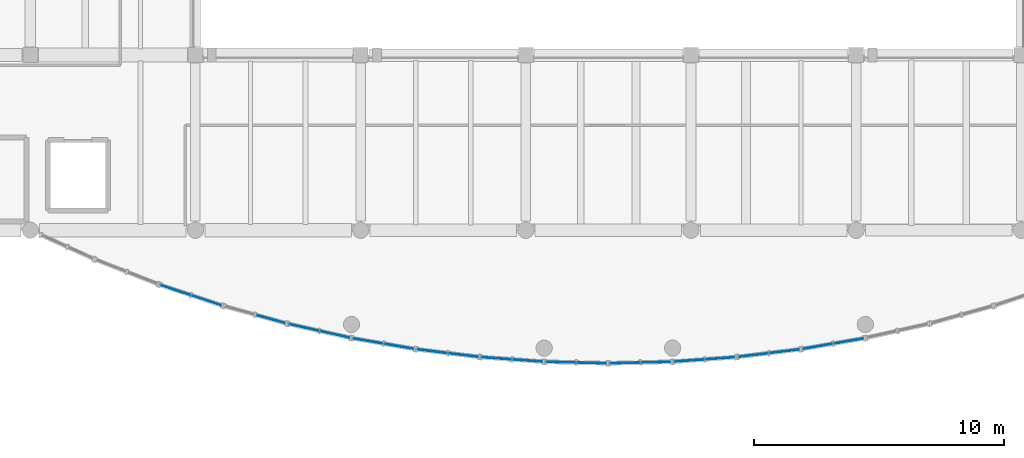
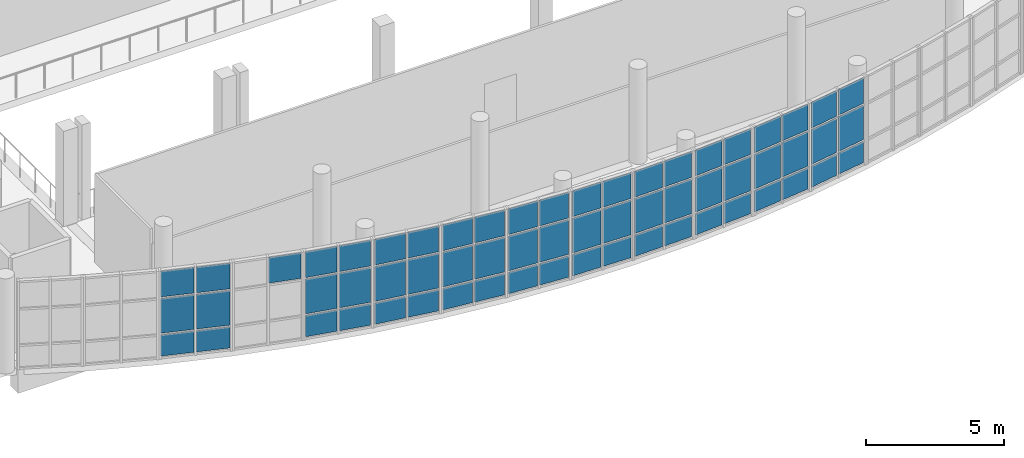
# One storey, part 38 of 67: 61 plates, 11 elements without a shape of their own.
"""IFC4 building model written with IfcOpenShell, lengths in metres."""

from ifc_helpers import new_model, si_unit, direction, frame, origin, origin_2d, place, context, subcontext, project, spatial, rectangle, extrude, material, layer, layer_set, type_object, element, aggregate, save


model = new_model("IFC4")

# Units and contexts
model_context = context("Model", 3, precision=1e-05, world=origin(), true_north=direction((0.0, 1.0)))
body_context = subcontext(model_context, "Body", "Model", "MODEL_VIEW")
ifc_project = project(units=[si_unit("LENGTHUNIT", "METRE"), si_unit("AREAUNIT", "SQUARE_METRE"), si_unit("VOLUMEUNIT", "CUBIC_METRE"), si_unit("PLANEANGLEUNIT", "RADIAN"), si_unit("MASSUNIT", "GRAM", prefix="KILO")], contexts=[model_context])

# Site, building, storey
site_placement = place(None, origin())
site = spatial("IfcSite", under=ifc_project, at=site_placement, CompositionType="ELEMENT")
building_placement = place(site_placement, origin())
building = spatial("IfcBuilding", under=site, at=building_placement, Name="Ciguamira Faculty of Natural Sciences", CompositionType="ELEMENT")
storey_placement = place(building_placement, frame((0.0, 0.0, 8.39990234375)))
storey = spatial("IfcBuildingStorey", under=building, at=storey_placement, Name="L02", CompositionType="ELEMENT", Elevation=8.39990234375)

# Curtain wall, plates
ifc_material_1 = material(Name="Anodized aluminium curtain wall", Category="aluminium")
curtain_wall_type_1 = type_object("IfcCurtainWallType", Name="CurtainWall_CW-08", PredefinedType="USERDEFINED", material=ifc_material_1)
curtain_wall_1_placement = place(storey_placement, origin())
curtain_wall_1 = element("IfcCurtainWall", 1, at=curtain_wall_1_placement, inside=storey, type_object=curtain_wall_type_1, Name="L02 south gallery curved curtain wall 03", ObjectType="UNITISED CURTAIN WALL", PredefinedType="USERDEFINED")
ifc_material_2 = material(Name="Low-E laminated solar glass", Category="glass")
ifc_layer = layer(ifc_material_2, 0.028076171875, Name="Low-E laminated solar glass")
ifc_layer_set = layer_set([ifc_layer], Name="Low-E laminated solar glass")
plate_type = type_object("IfcPlateType", Name="CWPanel_CWP-01", PredefinedType="CURTAIN_PANEL", material=ifc_layer_set)
plate_1_placement = place(storey_placement, frame((69.69384765625, 7.609619140625, 0.080078125), z_axis=(0.0, 0.0, 1.0), x_axis=(0.948735033862, -0.316072516242, 0.0)))
plate_1 = element("IfcPlate", 2, at=plate_1_placement, type_object=plate_type, Name="CW-08 panel 1.1", PredefinedType="CURTAIN_PANEL", context=body_context, shape_type="SweptSolid", body=[
    extrude(rectangle(XDim=1.232666015625, YDim=0.028076171875, at=origin_2d()), origin(), (0.0, 0.0, 1.0), 0.929931640625),
])
plate_2_placement = place(storey_placement, frame((69.69384765625, 7.609619140625, 1.090087890625), z_axis=(0.0, 0.0, 1.0), x_axis=(0.948735033862, -0.316072516242, 0.0)))
plate_2 = element("IfcPlate", 3, at=plate_2_placement, type_object=plate_type, Name="CW-08 panel 1.2", PredefinedType="CURTAIN_PANEL", context=body_context, shape_type="SweptSolid", body=[
    extrude(rectangle(XDim=1.232666015625, YDim=0.028076171875, at=origin_2d()), origin(), (0.0, 0.0, 1.0), 1.52001953125),
])
plate_3_placement = place(storey_placement, frame((69.69384765625, 7.609619140625, 2.690185546875), z_axis=(0.0, 0.0, 1.0), x_axis=(0.948735033862, -0.316072516242, 0.0)))
plate_3 = element("IfcPlate", 4, at=plate_3_placement, type_object=plate_type, Name="CW-08 panel 1.3", PredefinedType="CURTAIN_PANEL", context=body_context, shape_type="SweptSolid", body=[
    extrude(rectangle(XDim=1.232666015625, YDim=0.028076171875, at=origin_2d()), origin(), (0.0, 0.0, 1.0), 1.1298828125),
])
plate_4_placement = place(storey_placement, frame((70.939453125, 7.194580078125, 0.080078125), z_axis=(0.0, 0.0, 1.0), x_axis=(0.948735033862, -0.316072516242, 0.0)))
plate_4 = element("IfcPlate", 5, at=plate_4_placement, type_object=plate_type, Name="CW-08 panel 2.1", PredefinedType="CURTAIN_PANEL", context=body_context, shape_type="SweptSolid", body=[
    extrude(rectangle(XDim=1.232666015625, YDim=0.028076171875, at=origin_2d()), origin(), (0.0, 0.0, 1.0), 0.929931640625),
])
plate_5_placement = place(storey_placement, frame((70.939453125, 7.194580078125, 1.090087890625), z_axis=(0.0, 0.0, 1.0), x_axis=(0.948735033862, -0.316072516242, 0.0)))
plate_5 = element("IfcPlate", 6, at=plate_5_placement, type_object=plate_type, Name="CW-08 panel 2.2", PredefinedType="CURTAIN_PANEL", context=body_context, shape_type="SweptSolid", body=[
    extrude(rectangle(XDim=1.232666015625, YDim=0.028076171875, at=origin_2d()), origin(), (0.0, 0.0, 1.0), 1.52001953125),
])
plate_6_placement = place(storey_placement, frame((70.939453125, 7.194580078125, 2.690185546875), z_axis=(0.0, 0.0, 1.0), x_axis=(0.948735033862, -0.316072516242, 0.0)))
plate_6 = element("IfcPlate", 7, at=plate_6_placement, type_object=plate_type, Name="CW-08 panel 2.3", PredefinedType="CURTAIN_PANEL", context=body_context, shape_type="SweptSolid", body=[
    extrude(rectangle(XDim=1.232666015625, YDim=0.028076171875, at=origin_2d()), origin(), (0.0, 0.0, 1.0), 1.1298828125),
])
aggregate(curtain_wall_1, [plate_1, plate_2, plate_3, plate_4, plate_5, plate_6])

# Curtain wall, plate
curtain_wall_type_2 = type_object("IfcCurtainWallType", Name="CurtainWall_CW-09", PredefinedType="USERDEFINED", material=ifc_material_1)
curtain_wall_2_placement = place(storey_placement, origin())
curtain_wall_2 = element("IfcCurtainWall", 8, at=curtain_wall_2_placement, inside=storey, type_object=curtain_wall_type_2, Name="L02 south gallery curved curtain wall 04", ObjectType="UNITISED CURTAIN WALL", PredefinedType="USERDEFINED")
plate_7_placement = place(storey_placement, frame((73.505859375, 6.445556640625, 2.690185546875), z_axis=(0.0, 0.0, 1.0), x_axis=(0.963573286652, -0.267444426472, 0.0)))
plate_7 = element("IfcPlate", 9, at=plate_7_placement, type_object=plate_type, Name="CW-09 panel 2.3", PredefinedType="CURTAIN_PANEL", context=body_context, shape_type="SweptSolid", body=[
    extrude(rectangle(XDim=1.2119140625, YDim=0.028076171875, at=origin_2d()), origin(), (0.0, 0.0, 1.0), 1.1298828125),
])
aggregate(curtain_wall_2, [plate_7])

# Curtain wall, plates
curtain_wall_type_3 = type_object("IfcCurtainWallType", Name="CurtainWall_CW-10", PredefinedType="USERDEFINED", material=ifc_material_1)
curtain_wall_3_placement = place(storey_placement, origin())
curtain_wall_3 = element("IfcCurtainWall", 10, at=curtain_wall_3_placement, inside=storey, type_object=curtain_wall_type_3, Name="L02 south gallery curved curtain wall 05", ObjectType="UNITISED CURTAIN WALL", PredefinedType="USERDEFINED")
plate_8_placement = place(storey_placement, frame((74.827880859375, 6.11376953125, 0.080078125), z_axis=(0.0, 0.0, 1.0), x_axis=(0.975762990759, -0.218830038763, 0.0)))
plate_8 = element("IfcPlate", 11, at=plate_8_placement, type_object=plate_type, Name="CW-10 panel 1.1", PredefinedType="CURTAIN_PANEL", context=body_context, shape_type="SweptSolid", body=[
    extrude(rectangle(XDim=1.195068359375, YDim=0.028076171875, at=origin_2d()), origin(), (0.0, 0.0, 1.0), 0.929931640625),
])
plate_9_placement = place(storey_placement, frame((74.827880859375, 6.11376953125, 1.090087890625), z_axis=(0.0, 0.0, 1.0), x_axis=(0.975762990759, -0.218830038763, 0.0)))
plate_9 = element("IfcPlate", 12, at=plate_9_placement, type_object=plate_type, Name="CW-10 panel 1.2", PredefinedType="CURTAIN_PANEL", context=body_context, shape_type="SweptSolid", body=[
    extrude(rectangle(XDim=1.195068359375, YDim=0.028076171875, at=origin_2d()), origin(), (0.0, 0.0, 1.0), 1.52001953125),
])
plate_10_placement = place(storey_placement, frame((74.827880859375, 6.11376953125, 2.690185546875), z_axis=(0.0, 0.0, 1.0), x_axis=(0.975762990759, -0.218830038763, 0.0)))
plate_10 = element("IfcPlate", 13, at=plate_10_placement, type_object=plate_type, Name="CW-10 panel 1.3", PredefinedType="CURTAIN_PANEL", context=body_context, shape_type="SweptSolid", body=[
    extrude(rectangle(XDim=1.195068359375, YDim=0.028076171875, at=origin_2d()), origin(), (0.0, 0.0, 1.0), 1.1298828125),
])
plate_11_placement = place(storey_placement, frame((76.072021484375, 5.834716796875, 0.080078125), z_axis=(0.0, 0.0, 1.0), x_axis=(0.975762990759, -0.218830038763, 0.0)))
plate_11 = element("IfcPlate", 14, at=plate_11_placement, type_object=plate_type, Name="CW-10 panel 2.1", PredefinedType="CURTAIN_PANEL", context=body_context, shape_type="SweptSolid", body=[
    extrude(rectangle(XDim=1.195068359375, YDim=0.028076171875, at=origin_2d()), origin(), (0.0, 0.0, 1.0), 0.929931640625),
])
plate_12_placement = place(storey_placement, frame((76.072021484375, 5.834716796875, 1.090087890625), z_axis=(0.0, 0.0, 1.0), x_axis=(0.975762990759, -0.218830038763, 0.0)))
plate_12 = element("IfcPlate", 15, at=plate_12_placement, type_object=plate_type, Name="CW-10 panel 2.2", PredefinedType="CURTAIN_PANEL", context=body_context, shape_type="SweptSolid", body=[
    extrude(rectangle(XDim=1.195068359375, YDim=0.028076171875, at=origin_2d()), origin(), (0.0, 0.0, 1.0), 1.52001953125),
])
plate_13_placement = place(storey_placement, frame((76.072021484375, 5.834716796875, 2.690185546875), z_axis=(0.0, 0.0, 1.0), x_axis=(0.975762990759, -0.218830038763, 0.0)))
plate_13 = element("IfcPlate", 16, at=plate_13_placement, type_object=plate_type, Name="CW-10 panel 2.3", PredefinedType="CURTAIN_PANEL", context=body_context, shape_type="SweptSolid", body=[
    extrude(rectangle(XDim=1.195068359375, YDim=0.028076171875, at=origin_2d()), origin(), (0.0, 0.0, 1.0), 1.1298828125),
])
aggregate(curtain_wall_3, [plate_8, plate_9, plate_10, plate_11, plate_12, plate_13])

curtain_wall_type_4 = type_object("IfcCurtainWallType", Name="CurtainWall_CW-11", PredefinedType="USERDEFINED", material=ifc_material_1)
curtain_wall_4_placement = place(storey_placement, origin())
curtain_wall_4 = element("IfcCurtainWall", 17, at=curtain_wall_4_placement, inside=storey, type_object=curtain_wall_type_4, Name="L02 south gallery curved curtain wall 06", ObjectType="UNITISED CURTAIN WALL", PredefinedType="USERDEFINED")
plate_14_placement = place(storey_placement, frame((77.394775390625, 5.572265625, 0.080078125), z_axis=(0.0, 0.0, 1.0), x_axis=(0.985410865099, -0.170192323402, 0.0)))
plate_14 = element("IfcPlate", 18, at=plate_14_placement, type_object=plate_type, Name="CW-11 panel 1.1", PredefinedType="CURTAIN_PANEL", context=body_context, shape_type="SweptSolid", body=[
    extrude(rectangle(XDim=1.182373046875, YDim=0.028076171875, at=origin_2d()), origin(), (0.0, 0.0, 1.0), 0.929931640625),
])
plate_15_placement = place(storey_placement, frame((77.394775390625, 5.572265625, 1.090087890625), z_axis=(0.0, 0.0, 1.0), x_axis=(0.985410865099, -0.170192323402, 0.0)))
plate_15 = element("IfcPlate", 19, at=plate_15_placement, type_object=plate_type, Name="CW-11 panel 1.2", PredefinedType="CURTAIN_PANEL", context=body_context, shape_type="SweptSolid", body=[
    extrude(rectangle(XDim=1.182373046875, YDim=0.028076171875, at=origin_2d()), origin(), (0.0, 0.0, 1.0), 1.52001953125),
])
plate_16_placement = place(storey_placement, frame((77.394775390625, 5.572265625, 2.690185546875), z_axis=(0.0, 0.0, 1.0), x_axis=(0.985410865099, -0.170192323402, 0.0)))
plate_16 = element("IfcPlate", 20, at=plate_16_placement, type_object=plate_type, Name="CW-11 panel 1.3", PredefinedType="CURTAIN_PANEL", context=body_context, shape_type="SweptSolid", body=[
    extrude(rectangle(XDim=1.182373046875, YDim=0.028076171875, at=origin_2d()), origin(), (0.0, 0.0, 1.0), 1.1298828125),
])
plate_17_placement = place(storey_placement, frame((78.638671875, 5.357421875, 0.080078125), z_axis=(0.0, 0.0, 1.0), x_axis=(0.985410865099, -0.170192323402, 0.0)))
plate_17 = element("IfcPlate", 21, at=plate_17_placement, type_object=plate_type, Name="CW-11 panel 2.1", PredefinedType="CURTAIN_PANEL", context=body_context, shape_type="SweptSolid", body=[
    extrude(rectangle(XDim=1.182373046875, YDim=0.028076171875, at=origin_2d()), origin(), (0.0, 0.0, 1.0), 0.929931640625),
])
plate_18_placement = place(storey_placement, frame((78.638671875, 5.357421875, 1.090087890625), z_axis=(0.0, 0.0, 1.0), x_axis=(0.985410865099, -0.170192323402, 0.0)))
plate_18 = element("IfcPlate", 22, at=plate_18_placement, type_object=plate_type, Name="CW-11 panel 2.2", PredefinedType="CURTAIN_PANEL", context=body_context, shape_type="SweptSolid", body=[
    extrude(rectangle(XDim=1.182373046875, YDim=0.028076171875, at=origin_2d()), origin(), (0.0, 0.0, 1.0), 1.52001953125),
])
plate_19_placement = place(storey_placement, frame((78.638671875, 5.357421875, 2.690185546875), z_axis=(0.0, 0.0, 1.0), x_axis=(0.985410865099, -0.170192323402, 0.0)))
plate_19 = element("IfcPlate", 23, at=plate_19_placement, type_object=plate_type, Name="CW-11 panel 2.3", PredefinedType="CURTAIN_PANEL", context=body_context, shape_type="SweptSolid", body=[
    extrude(rectangle(XDim=1.182373046875, YDim=0.028076171875, at=origin_2d()), origin(), (0.0, 0.0, 1.0), 1.1298828125),
])
aggregate(curtain_wall_4, [plate_14, plate_15, plate_16, plate_17, plate_18, plate_19])

curtain_wall_type_5 = type_object("IfcCurtainWallType", Name="CurtainWall_CW-12", PredefinedType="USERDEFINED", material=ifc_material_1)
curtain_wall_5_placement = place(storey_placement, origin())
curtain_wall_5 = element("IfcCurtainWall", 24, at=curtain_wall_5_placement, inside=storey, type_object=curtain_wall_type_5, Name="L02 south gallery curved curtain wall 07", ObjectType="UNITISED CURTAIN WALL", PredefinedType="USERDEFINED")
plate_20_placement = place(storey_placement, frame((79.96142578125, 5.162109375, 0.080078125), z_axis=(0.0, 0.0, 1.0), x_axis=(0.992585912631, -0.12154507825, 0.0)))
plate_20 = element("IfcPlate", 25, at=plate_20_placement, type_object=plate_type, Name="CW-12 panel 1.1", PredefinedType="CURTAIN_PANEL", context=body_context, shape_type="SweptSolid", body=[
    extrude(rectangle(XDim=1.1728515625, YDim=0.028076171875, at=origin_2d()), origin(), (0.0, 0.0, 1.0), 0.929931640625),
])
plate_21_placement = place(storey_placement, frame((79.96142578125, 5.162109375, 1.090087890625), z_axis=(0.0, 0.0, 1.0), x_axis=(0.992585912631, -0.12154507825, 0.0)))
plate_21 = element("IfcPlate", 26, at=plate_21_placement, type_object=plate_type, Name="CW-12 panel 1.2", PredefinedType="CURTAIN_PANEL", context=body_context, shape_type="SweptSolid", body=[
    extrude(rectangle(XDim=1.1728515625, YDim=0.028076171875, at=origin_2d()), origin(), (0.0, 0.0, 1.0), 1.52001953125),
])
plate_22_placement = place(storey_placement, frame((79.96142578125, 5.162109375, 2.690185546875), z_axis=(0.0, 0.0, 1.0), x_axis=(0.992585912631, -0.12154507825, 0.0)))
plate_22 = element("IfcPlate", 27, at=plate_22_placement, type_object=plate_type, Name="CW-12 panel 1.3", PredefinedType="CURTAIN_PANEL", context=body_context, shape_type="SweptSolid", body=[
    extrude(rectangle(XDim=1.1728515625, YDim=0.028076171875, at=origin_2d()), origin(), (0.0, 0.0, 1.0), 1.1298828125),
])
plate_23_placement = place(storey_placement, frame((81.205078125, 5.010009765625, 0.080078125), z_axis=(0.0, 0.0, 1.0), x_axis=(0.992585912631, -0.12154507825, 0.0)))
plate_23 = element("IfcPlate", 28, at=plate_23_placement, type_object=plate_type, Name="CW-12 panel 2.1", PredefinedType="CURTAIN_PANEL", context=body_context, shape_type="SweptSolid", body=[
    extrude(rectangle(XDim=1.1728515625, YDim=0.028076171875, at=origin_2d()), origin(), (0.0, 0.0, 1.0), 0.929931640625),
])
plate_24_placement = place(storey_placement, frame((81.205078125, 5.010009765625, 1.090087890625), z_axis=(0.0, 0.0, 1.0), x_axis=(0.992585912631, -0.12154507825, 0.0)))
plate_24 = element("IfcPlate", 29, at=plate_24_placement, type_object=plate_type, Name="CW-12 panel 2.2", PredefinedType="CURTAIN_PANEL", context=body_context, shape_type="SweptSolid", body=[
    extrude(rectangle(XDim=1.1728515625, YDim=0.028076171875, at=origin_2d()), origin(), (0.0, 0.0, 1.0), 1.52001953125),
])
plate_25_placement = place(storey_placement, frame((81.205078125, 5.010009765625, 2.690185546875), z_axis=(0.0, 0.0, 1.0), x_axis=(0.992585912631, -0.12154507825, 0.0)))
plate_25 = element("IfcPlate", 30, at=plate_25_placement, type_object=plate_type, Name="CW-12 panel 2.3", PredefinedType="CURTAIN_PANEL", context=body_context, shape_type="SweptSolid", body=[
    extrude(rectangle(XDim=1.1728515625, YDim=0.028076171875, at=origin_2d()), origin(), (0.0, 0.0, 1.0), 1.1298828125),
])
aggregate(curtain_wall_5, [plate_20, plate_21, plate_22, plate_23, plate_24, plate_25])

curtain_wall_type_6 = type_object("IfcCurtainWallType", Name="CurtainWall_CW-01", PredefinedType="USERDEFINED", material=ifc_material_1)
curtain_wall_6_placement = place(storey_placement, origin())
curtain_wall_6 = element("IfcCurtainWall", 31, at=curtain_wall_6_placement, inside=storey, type_object=curtain_wall_type_6, Name="L02 south gallery curved curtain wall 08", ObjectType="UNITISED CURTAIN WALL", PredefinedType="USERDEFINED")
plate_26_placement = place(storey_placement, frame((82.5283203125, 4.880615234375, 0.080078125), z_axis=(0.0, 0.0, 1.0), x_axis=(0.99733655099, -0.072936986916, 0.0)))
plate_26 = element("IfcPlate", 32, at=plate_26_placement, type_object=plate_type, Name="CW-01 panel 1.1", PredefinedType="CURTAIN_PANEL", context=body_context, shape_type="SweptSolid", body=[
    extrude(rectangle(XDim=1.166748046875, YDim=0.028076171875, at=origin_2d()), origin(), (0.0, 0.0, 1.0), 0.929931640625),
])
plate_27_placement = place(storey_placement, frame((82.5283203125, 4.880615234375, 1.090087890625), z_axis=(0.0, 0.0, 1.0), x_axis=(0.99733655099, -0.072936986916, 0.0)))
plate_27 = element("IfcPlate", 33, at=plate_27_placement, type_object=plate_type, Name="CW-01 panel 1.2", PredefinedType="CURTAIN_PANEL", context=body_context, shape_type="SweptSolid", body=[
    extrude(rectangle(XDim=1.166748046875, YDim=0.028076171875, at=origin_2d()), origin(), (0.0, 0.0, 1.0), 1.52001953125),
])
plate_28_placement = place(storey_placement, frame((82.5283203125, 4.880615234375, 2.690185546875), z_axis=(0.0, 0.0, 1.0), x_axis=(0.99733655099, -0.072936986916, 0.0)))
plate_28 = element("IfcPlate", 34, at=plate_28_placement, type_object=plate_type, Name="CW-01 panel 1.3", PredefinedType="CURTAIN_PANEL", context=body_context, shape_type="SweptSolid", body=[
    extrude(rectangle(XDim=1.166748046875, YDim=0.028076171875, at=origin_2d()), origin(), (0.0, 0.0, 1.0), 1.1298828125),
])
plate_29_placement = place(storey_placement, frame((83.771728515625, 4.78955078125, 0.080078125), z_axis=(0.0, 0.0, 1.0), x_axis=(0.99733655099, -0.072936986916, 0.0)))
plate_29 = element("IfcPlate", 35, at=plate_29_placement, type_object=plate_type, Name="CW-01 panel 2.1", PredefinedType="CURTAIN_PANEL", context=body_context, shape_type="SweptSolid", body=[
    extrude(rectangle(XDim=1.166748046875, YDim=0.028076171875, at=origin_2d()), origin(), (0.0, 0.0, 1.0), 0.929931640625),
])
plate_30_placement = place(storey_placement, frame((83.771728515625, 4.78955078125, 1.090087890625), z_axis=(0.0, 0.0, 1.0), x_axis=(0.99733655099, -0.072936986916, 0.0)))
plate_30 = element("IfcPlate", 36, at=plate_30_placement, type_object=plate_type, Name="CW-01 panel 2.2", PredefinedType="CURTAIN_PANEL", context=body_context, shape_type="SweptSolid", body=[
    extrude(rectangle(XDim=1.166748046875, YDim=0.028076171875, at=origin_2d()), origin(), (0.0, 0.0, 1.0), 1.52001953125),
])
plate_31_placement = place(storey_placement, frame((83.771728515625, 4.78955078125, 2.690185546875), z_axis=(0.0, 0.0, 1.0), x_axis=(0.99733655099, -0.072936986916, 0.0)))
plate_31 = element("IfcPlate", 37, at=plate_31_placement, type_object=plate_type, Name="CW-01 panel 2.3", PredefinedType="CURTAIN_PANEL", context=body_context, shape_type="SweptSolid", body=[
    extrude(rectangle(XDim=1.166748046875, YDim=0.028076171875, at=origin_2d()), origin(), (0.0, 0.0, 1.0), 1.1298828125),
])
aggregate(curtain_wall_6, [plate_26, plate_27, plate_28, plate_29, plate_30, plate_31])

curtain_wall_type_7 = type_object("IfcCurtainWallType", Name="CurtainWall_CW-02", PredefinedType="USERDEFINED", material=ifc_material_1)
curtain_wall_7_placement = place(storey_placement, origin())
curtain_wall_7 = element("IfcCurtainWall", 38, at=curtain_wall_7_placement, inside=storey, type_object=curtain_wall_type_7, Name="L02 south gallery curved curtain wall 09", ObjectType="UNITISED CURTAIN WALL", PredefinedType="USERDEFINED")
plate_32_placement = place(storey_placement, frame((85.094970703125, 4.72509765625, 0.080078125), z_axis=(0.0, 0.0, 1.0), x_axis=(0.999703662415, -0.024343117197, 0.0)))
plate_32 = element("IfcPlate", 39, at=plate_32_placement, type_object=plate_type, Name="CW-02 panel 1.1", PredefinedType="CURTAIN_PANEL", context=body_context, shape_type="SweptSolid", body=[
    extrude(rectangle(XDim=1.163818359375, YDim=0.028076171875, at=origin_2d()), origin(), (0.0, 0.0, 1.0), 0.929931640625),
])
plate_33_placement = place(storey_placement, frame((85.094970703125, 4.72509765625, 1.090087890625), z_axis=(0.0, 0.0, 1.0), x_axis=(0.999703662415, -0.024343117197, 0.0)))
plate_33 = element("IfcPlate", 40, at=plate_33_placement, type_object=plate_type, Name="CW-02 panel 1.2", PredefinedType="CURTAIN_PANEL", context=body_context, shape_type="SweptSolid", body=[
    extrude(rectangle(XDim=1.163818359375, YDim=0.028076171875, at=origin_2d()), origin(), (0.0, 0.0, 1.0), 1.52001953125),
])
plate_34_placement = place(storey_placement, frame((85.094970703125, 4.72509765625, 2.690185546875), z_axis=(0.0, 0.0, 1.0), x_axis=(0.999703662415, -0.024343117197, 0.0)))
plate_34 = element("IfcPlate", 41, at=plate_34_placement, type_object=plate_type, Name="CW-02 panel 1.3", PredefinedType="CURTAIN_PANEL", context=body_context, shape_type="SweptSolid", body=[
    extrude(rectangle(XDim=1.163818359375, YDim=0.028076171875, at=origin_2d()), origin(), (0.0, 0.0, 1.0), 1.1298828125),
])
plate_35_placement = place(storey_placement, frame((86.33837890625, 4.69482421875, 0.080078125), z_axis=(0.0, 0.0, 1.0), x_axis=(0.999703662415, -0.024343117197, 0.0)))
plate_35 = element("IfcPlate", 42, at=plate_35_placement, type_object=plate_type, Name="CW-02 panel 2.1", PredefinedType="CURTAIN_PANEL", context=body_context, shape_type="SweptSolid", body=[
    extrude(rectangle(XDim=1.163818359375, YDim=0.028076171875, at=origin_2d()), origin(), (0.0, 0.0, 1.0), 0.929931640625),
])
plate_36_placement = place(storey_placement, frame((86.33837890625, 4.69482421875, 1.090087890625), z_axis=(0.0, 0.0, 1.0), x_axis=(0.999703662415, -0.024343117197, 0.0)))
plate_36 = element("IfcPlate", 43, at=plate_36_placement, type_object=plate_type, Name="CW-02 panel 2.2", PredefinedType="CURTAIN_PANEL", context=body_context, shape_type="SweptSolid", body=[
    extrude(rectangle(XDim=1.163818359375, YDim=0.028076171875, at=origin_2d()), origin(), (0.0, 0.0, 1.0), 1.52001953125),
])
plate_37_placement = place(storey_placement, frame((86.33837890625, 4.69482421875, 2.690185546875), z_axis=(0.0, 0.0, 1.0), x_axis=(0.999703662415, -0.024343117197, 0.0)))
plate_37 = element("IfcPlate", 44, at=plate_37_placement, type_object=plate_type, Name="CW-02 panel 2.3", PredefinedType="CURTAIN_PANEL", context=body_context, shape_type="SweptSolid", body=[
    extrude(rectangle(XDim=1.163818359375, YDim=0.028076171875, at=origin_2d()), origin(), (0.0, 0.0, 1.0), 1.1298828125),
])
aggregate(curtain_wall_7, [plate_32, plate_33, plate_34, plate_35, plate_36, plate_37])

curtain_wall_type_8 = type_object("IfcCurtainWallType", Name="CurtainWall_CW-03", PredefinedType="USERDEFINED", material=ifc_material_1)
curtain_wall_8_placement = place(storey_placement, origin())
curtain_wall_8 = element("IfcCurtainWall", 45, at=curtain_wall_8_placement, inside=storey, type_object=curtain_wall_type_8, Name="L02 south gallery curved curtain wall 10", ObjectType="UNITISED CURTAIN WALL", PredefinedType="USERDEFINED")
plate_38_placement = place(storey_placement, frame((87.66162109375, 4.69482421875, 0.080078125), z_axis=(0.0, 0.0, 1.0), x_axis=(0.999703662415, 0.024343117197, 0.0)))
plate_38 = element("IfcPlate", 46, at=plate_38_placement, type_object=plate_type, Name="CW-03 panel 1.1", PredefinedType="CURTAIN_PANEL", context=body_context, shape_type="SweptSolid", body=[
    extrude(rectangle(XDim=1.163818359375, YDim=0.028076171875, at=origin_2d()), origin(), (0.0, 0.0, 1.0), 0.929931640625),
])
plate_39_placement = place(storey_placement, frame((87.66162109375, 4.69482421875, 1.090087890625), z_axis=(0.0, 0.0, 1.0), x_axis=(0.999703662415, 0.024343117197, 0.0)))
plate_39 = element("IfcPlate", 47, at=plate_39_placement, type_object=plate_type, Name="CW-03 panel 1.2", PredefinedType="CURTAIN_PANEL", context=body_context, shape_type="SweptSolid", body=[
    extrude(rectangle(XDim=1.163818359375, YDim=0.028076171875, at=origin_2d()), origin(), (0.0, 0.0, 1.0), 1.52001953125),
])
plate_40_placement = place(storey_placement, frame((87.66162109375, 4.69482421875, 2.690185546875), z_axis=(0.0, 0.0, 1.0), x_axis=(0.999703662415, 0.024343117197, 0.0)))
plate_40 = element("IfcPlate", 48, at=plate_40_placement, type_object=plate_type, Name="CW-03 panel 1.3", PredefinedType="CURTAIN_PANEL", context=body_context, shape_type="SweptSolid", body=[
    extrude(rectangle(XDim=1.163818359375, YDim=0.028076171875, at=origin_2d()), origin(), (0.0, 0.0, 1.0), 1.1298828125),
])
plate_41_placement = place(storey_placement, frame((88.905029296875, 4.72509765625, 0.080078125), z_axis=(0.0, 0.0, 1.0), x_axis=(0.999703662415, 0.024343117197, 0.0)))
plate_41 = element("IfcPlate", 49, at=plate_41_placement, type_object=plate_type, Name="CW-03 panel 2.1", PredefinedType="CURTAIN_PANEL", context=body_context, shape_type="SweptSolid", body=[
    extrude(rectangle(XDim=1.163818359375, YDim=0.028076171875, at=origin_2d()), origin(), (0.0, 0.0, 1.0), 0.929931640625),
])
plate_42_placement = place(storey_placement, frame((88.905029296875, 4.72509765625, 1.090087890625), z_axis=(0.0, 0.0, 1.0), x_axis=(0.999703662415, 0.024343117197, 0.0)))
plate_42 = element("IfcPlate", 50, at=plate_42_placement, type_object=plate_type, Name="CW-03 panel 2.2", PredefinedType="CURTAIN_PANEL", context=body_context, shape_type="SweptSolid", body=[
    extrude(rectangle(XDim=1.163818359375, YDim=0.028076171875, at=origin_2d()), origin(), (0.0, 0.0, 1.0), 1.52001953125),
])
plate_43_placement = place(storey_placement, frame((88.905029296875, 4.72509765625, 2.690185546875), z_axis=(0.0, 0.0, 1.0), x_axis=(0.999703662415, 0.024343117197, 0.0)))
plate_43 = element("IfcPlate", 51, at=plate_43_placement, type_object=plate_type, Name="CW-03 panel 2.3", PredefinedType="CURTAIN_PANEL", context=body_context, shape_type="SweptSolid", body=[
    extrude(rectangle(XDim=1.163818359375, YDim=0.028076171875, at=origin_2d()), origin(), (0.0, 0.0, 1.0), 1.1298828125),
])
aggregate(curtain_wall_8, [plate_38, plate_39, plate_40, plate_41, plate_42, plate_43])

curtain_wall_type_9 = type_object("IfcCurtainWallType", Name="CurtainWall_CW-04", PredefinedType="USERDEFINED", material=ifc_material_1)
curtain_wall_9_placement = place(storey_placement, origin())
curtain_wall_9 = element("IfcCurtainWall", 52, at=curtain_wall_9_placement, inside=storey, type_object=curtain_wall_type_9, Name="L02 south gallery curved curtain wall 11", ObjectType="UNITISED CURTAIN WALL", PredefinedType="USERDEFINED")
plate_44_placement = place(storey_placement, frame((90.228271484375, 4.78955078125, 0.080078125), z_axis=(0.0, 0.0, 1.0), x_axis=(0.99733655099, 0.072936986916, 0.0)))
plate_44 = element("IfcPlate", 53, at=plate_44_placement, type_object=plate_type, Name="CW-04 panel 1.1", PredefinedType="CURTAIN_PANEL", context=body_context, shape_type="SweptSolid", body=[
    extrude(rectangle(XDim=1.166748046875, YDim=0.028076171875, at=origin_2d()), origin(), (0.0, 0.0, 1.0), 0.929931640625),
])
plate_45_placement = place(storey_placement, frame((90.228271484375, 4.78955078125, 1.090087890625), z_axis=(0.0, 0.0, 1.0), x_axis=(0.99733655099, 0.072936986916, 0.0)))
plate_45 = element("IfcPlate", 54, at=plate_45_placement, type_object=plate_type, Name="CW-04 panel 1.2", PredefinedType="CURTAIN_PANEL", context=body_context, shape_type="SweptSolid", body=[
    extrude(rectangle(XDim=1.166748046875, YDim=0.028076171875, at=origin_2d()), origin(), (0.0, 0.0, 1.0), 1.52001953125),
])
plate_46_placement = place(storey_placement, frame((90.228271484375, 4.78955078125, 2.690185546875), z_axis=(0.0, 0.0, 1.0), x_axis=(0.99733655099, 0.072936986916, 0.0)))
plate_46 = element("IfcPlate", 55, at=plate_46_placement, type_object=plate_type, Name="CW-04 panel 1.3", PredefinedType="CURTAIN_PANEL", context=body_context, shape_type="SweptSolid", body=[
    extrude(rectangle(XDim=1.166748046875, YDim=0.028076171875, at=origin_2d()), origin(), (0.0, 0.0, 1.0), 1.1298828125),
])
plate_47_placement = place(storey_placement, frame((91.4716796875, 4.880615234375, 0.080078125), z_axis=(0.0, 0.0, 1.0), x_axis=(0.99733655099, 0.072936986916, 0.0)))
plate_47 = element("IfcPlate", 56, at=plate_47_placement, type_object=plate_type, Name="CW-04 panel 2.1", PredefinedType="CURTAIN_PANEL", context=body_context, shape_type="SweptSolid", body=[
    extrude(rectangle(XDim=1.166748046875, YDim=0.028076171875, at=origin_2d()), origin(), (0.0, 0.0, 1.0), 0.929931640625),
])
plate_48_placement = place(storey_placement, frame((91.4716796875, 4.880615234375, 1.090087890625), z_axis=(0.0, 0.0, 1.0), x_axis=(0.99733655099, 0.072936986916, 0.0)))
plate_48 = element("IfcPlate", 57, at=plate_48_placement, type_object=plate_type, Name="CW-04 panel 2.2", PredefinedType="CURTAIN_PANEL", context=body_context, shape_type="SweptSolid", body=[
    extrude(rectangle(XDim=1.166748046875, YDim=0.028076171875, at=origin_2d()), origin(), (0.0, 0.0, 1.0), 1.52001953125),
])
plate_49_placement = place(storey_placement, frame((91.4716796875, 4.880615234375, 2.690185546875), z_axis=(0.0, 0.0, 1.0), x_axis=(0.99733655099, 0.072936986916, 0.0)))
plate_49 = element("IfcPlate", 58, at=plate_49_placement, type_object=plate_type, Name="CW-04 panel 2.3", PredefinedType="CURTAIN_PANEL", context=body_context, shape_type="SweptSolid", body=[
    extrude(rectangle(XDim=1.166748046875, YDim=0.028076171875, at=origin_2d()), origin(), (0.0, 0.0, 1.0), 1.1298828125),
])
aggregate(curtain_wall_9, [plate_44, plate_45, plate_46, plate_47, plate_48, plate_49])

curtain_wall_type_10 = type_object("IfcCurtainWallType", Name="CurtainWall_CW-05", PredefinedType="USERDEFINED", material=ifc_material_1)
curtain_wall_10_placement = place(storey_placement, origin())
curtain_wall_10 = element("IfcCurtainWall", 59, at=curtain_wall_10_placement, inside=storey, type_object=curtain_wall_type_10, Name="L02 south gallery curved curtain wall 12", ObjectType="UNITISED CURTAIN WALL", PredefinedType="USERDEFINED")
plate_50_placement = place(storey_placement, frame((92.794921875, 5.010009765625, 0.080078125), z_axis=(0.0, 0.0, 1.0), x_axis=(0.992585912631, 0.12154507825, 0.0)))
plate_50 = element("IfcPlate", 60, at=plate_50_placement, type_object=plate_type, Name="CW-05 panel 1.1", PredefinedType="CURTAIN_PANEL", context=body_context, shape_type="SweptSolid", body=[
    extrude(rectangle(XDim=1.1728515625, YDim=0.028076171875, at=origin_2d()), origin(), (0.0, 0.0, 1.0), 0.929931640625),
])
plate_51_placement = place(storey_placement, frame((92.794921875, 5.010009765625, 1.090087890625), z_axis=(0.0, 0.0, 1.0), x_axis=(0.992585912631, 0.12154507825, 0.0)))
plate_51 = element("IfcPlate", 61, at=plate_51_placement, type_object=plate_type, Name="CW-05 panel 1.2", PredefinedType="CURTAIN_PANEL", context=body_context, shape_type="SweptSolid", body=[
    extrude(rectangle(XDim=1.1728515625, YDim=0.028076171875, at=origin_2d()), origin(), (0.0, 0.0, 1.0), 1.52001953125),
])
plate_52_placement = place(storey_placement, frame((92.794921875, 5.010009765625, 2.690185546875), z_axis=(0.0, 0.0, 1.0), x_axis=(0.992585912631, 0.12154507825, 0.0)))
plate_52 = element("IfcPlate", 62, at=plate_52_placement, type_object=plate_type, Name="CW-05 panel 1.3", PredefinedType="CURTAIN_PANEL", context=body_context, shape_type="SweptSolid", body=[
    extrude(rectangle(XDim=1.1728515625, YDim=0.028076171875, at=origin_2d()), origin(), (0.0, 0.0, 1.0), 1.1298828125),
])
plate_53_placement = place(storey_placement, frame((94.03857421875, 5.162109375, 0.080078125), z_axis=(0.0, 0.0, 1.0), x_axis=(0.992585912631, 0.12154507825, 0.0)))
plate_53 = element("IfcPlate", 63, at=plate_53_placement, type_object=plate_type, Name="CW-05 panel 2.1", PredefinedType="CURTAIN_PANEL", context=body_context, shape_type="SweptSolid", body=[
    extrude(rectangle(XDim=1.1728515625, YDim=0.028076171875, at=origin_2d()), origin(), (0.0, 0.0, 1.0), 0.929931640625),
])
plate_54_placement = place(storey_placement, frame((94.03857421875, 5.162109375, 1.090087890625), z_axis=(0.0, 0.0, 1.0), x_axis=(0.992585912631, 0.12154507825, 0.0)))
plate_54 = element("IfcPlate", 64, at=plate_54_placement, type_object=plate_type, Name="CW-05 panel 2.2", PredefinedType="CURTAIN_PANEL", context=body_context, shape_type="SweptSolid", body=[
    extrude(rectangle(XDim=1.1728515625, YDim=0.028076171875, at=origin_2d()), origin(), (0.0, 0.0, 1.0), 1.52001953125),
])
plate_55_placement = place(storey_placement, frame((94.03857421875, 5.162109375, 2.690185546875), z_axis=(0.0, 0.0, 1.0), x_axis=(0.992585912631, 0.12154507825, 0.0)))
plate_55 = element("IfcPlate", 65, at=plate_55_placement, type_object=plate_type, Name="CW-05 panel 2.3", PredefinedType="CURTAIN_PANEL", context=body_context, shape_type="SweptSolid", body=[
    extrude(rectangle(XDim=1.1728515625, YDim=0.028076171875, at=origin_2d()), origin(), (0.0, 0.0, 1.0), 1.1298828125),
])
aggregate(curtain_wall_10, [plate_50, plate_51, plate_52, plate_53, plate_54, plate_55])

curtain_wall_type_11 = type_object("IfcCurtainWallType", Name="CurtainWall_CW-06", PredefinedType="USERDEFINED", material=ifc_material_1)
curtain_wall_11_placement = place(storey_placement, origin())
curtain_wall_11 = element("IfcCurtainWall", 66, at=curtain_wall_11_placement, inside=storey, type_object=curtain_wall_type_11, Name="L02 south gallery curved curtain wall 13", ObjectType="UNITISED CURTAIN WALL", PredefinedType="USERDEFINED")
plate_56_placement = place(storey_placement, frame((95.361328125, 5.357421875, 0.080078125), z_axis=(0.0, 0.0, 1.0), x_axis=(0.985410865099, 0.170192323402, 0.0)))
plate_56 = element("IfcPlate", 67, at=plate_56_placement, type_object=plate_type, Name="CW-06 panel 1.1", PredefinedType="CURTAIN_PANEL", context=body_context, shape_type="SweptSolid", body=[
    extrude(rectangle(XDim=1.182373046875, YDim=0.028076171875, at=origin_2d()), origin(), (0.0, 0.0, 1.0), 0.929931640625),
])
plate_57_placement = place(storey_placement, frame((95.361328125, 5.357421875, 1.090087890625), z_axis=(0.0, 0.0, 1.0), x_axis=(0.985410865099, 0.170192323402, 0.0)))
plate_57 = element("IfcPlate", 68, at=plate_57_placement, type_object=plate_type, Name="CW-06 panel 1.2", PredefinedType="CURTAIN_PANEL", context=body_context, shape_type="SweptSolid", body=[
    extrude(rectangle(XDim=1.182373046875, YDim=0.028076171875, at=origin_2d()), origin(), (0.0, 0.0, 1.0), 1.52001953125),
])
plate_58_placement = place(storey_placement, frame((95.361328125, 5.357421875, 2.690185546875), z_axis=(0.0, 0.0, 1.0), x_axis=(0.985410865099, 0.170192323402, 0.0)))
plate_58 = element("IfcPlate", 69, at=plate_58_placement, type_object=plate_type, Name="CW-06 panel 1.3", PredefinedType="CURTAIN_PANEL", context=body_context, shape_type="SweptSolid", body=[
    extrude(rectangle(XDim=1.182373046875, YDim=0.028076171875, at=origin_2d()), origin(), (0.0, 0.0, 1.0), 1.1298828125),
])
plate_59_placement = place(storey_placement, frame((96.605224609375, 5.572265625, 0.080078125), z_axis=(0.0, 0.0, 1.0), x_axis=(0.985410865099, 0.170192323402, 0.0)))
plate_59 = element("IfcPlate", 70, at=plate_59_placement, type_object=plate_type, Name="CW-06 panel 2.1", PredefinedType="CURTAIN_PANEL", context=body_context, shape_type="SweptSolid", body=[
    extrude(rectangle(XDim=1.182373046875, YDim=0.028076171875, at=origin_2d()), origin(), (0.0, 0.0, 1.0), 0.929931640625),
])
plate_60_placement = place(storey_placement, frame((96.605224609375, 5.572265625, 1.090087890625), z_axis=(0.0, 0.0, 1.0), x_axis=(0.985410865099, 0.170192323402, 0.0)))
plate_60 = element("IfcPlate", 71, at=plate_60_placement, type_object=plate_type, Name="CW-06 panel 2.2", PredefinedType="CURTAIN_PANEL", context=body_context, shape_type="SweptSolid", body=[
    extrude(rectangle(XDim=1.182373046875, YDim=0.028076171875, at=origin_2d()), origin(), (0.0, 0.0, 1.0), 1.52001953125),
])
plate_61_placement = place(storey_placement, frame((96.605224609375, 5.572265625, 2.690185546875), z_axis=(0.0, 0.0, 1.0), x_axis=(0.985410865099, 0.170192323402, 0.0)))
plate_61 = element("IfcPlate", 72, at=plate_61_placement, type_object=plate_type, Name="CW-06 panel 2.3", PredefinedType="CURTAIN_PANEL", context=body_context, shape_type="SweptSolid", body=[
    extrude(rectangle(XDim=1.182373046875, YDim=0.028076171875, at=origin_2d()), origin(), (0.0, 0.0, 1.0), 1.1298828125),
])
aggregate(curtain_wall_11, [plate_56, plate_57, plate_58, plate_59, plate_60, plate_61])

save(model, "model.ifc")
